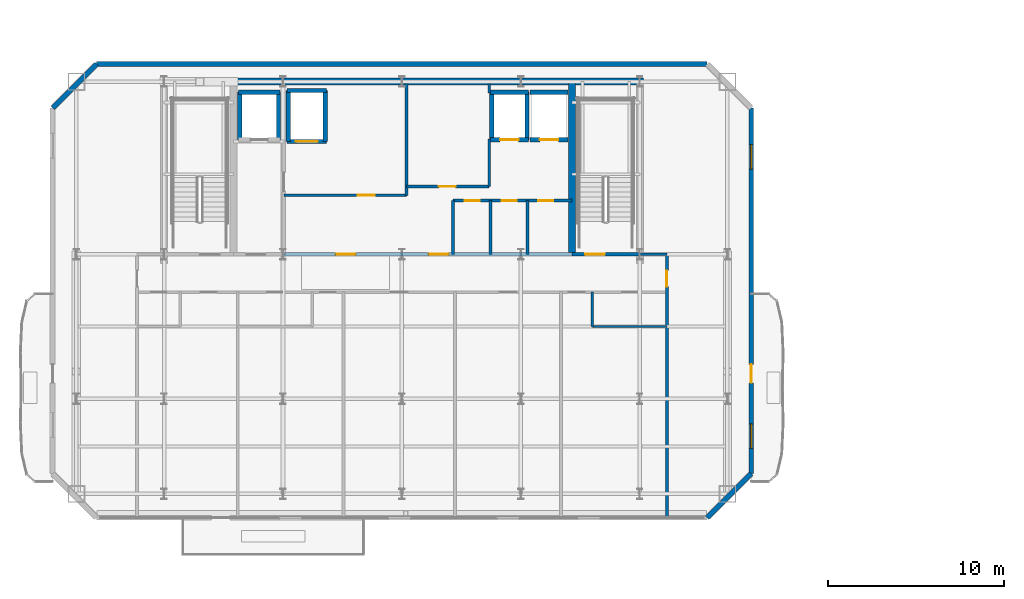
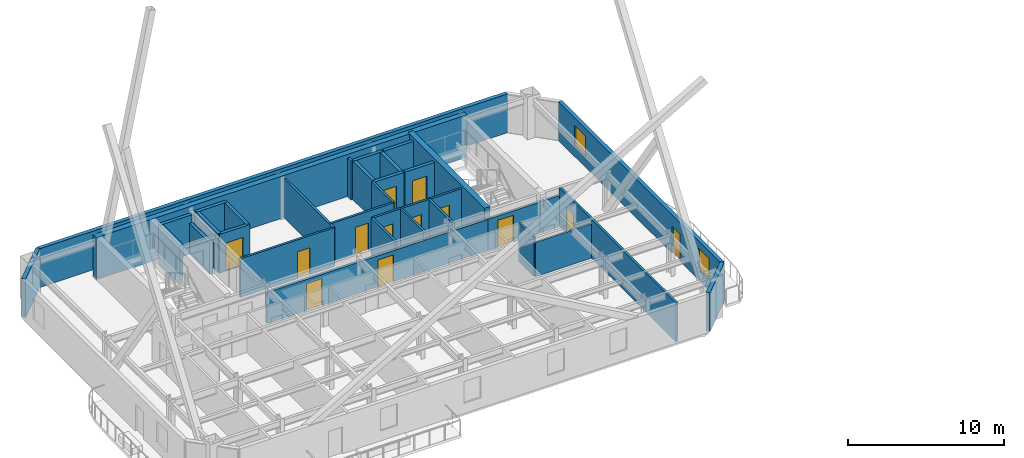
# One storey, part 4 of 9: 34 walls, 13 doors, 2 windows, 15 openings.
"""IFC4 building model written with IfcOpenShell, lengths in metres."""

import ifcopenshell
import ifcopenshell.guid

model = None  # the IFC model being written
_history = None  # IfcOwnerHistory: only IFC2X3 demands one
_inside = {}  # id of a spatial element -> (the spatial element, [elements in it])
_under = {}  # id of a project, library or spatial element -> (it, [spatial elements below it])
_declared = {}  # id of a project -> (the project, [libraries it declares])
_typed = {}  # id of a type object -> (the type object, [elements of that type])
_made_of = {}  # id of a material, layer set ... -> (it, [elements and type objects made of it])


def new_model(schema):
    """Start an empty IFC model of exactly this schema.

    Asked for "IFC4X3", IfcOpenShell would pick the latest addendum, in which some entities
    have other attributes; the version numbers below select the first issue.
    IFC2X3 requires an IfcOwnerHistory on every rooted entity: one is made here for all.
    """
    global model, _history
    if schema == "IFC4X3":
        model = ifcopenshell.file(schema_version=(4, 3, 0, 0))
    else:
        model = ifcopenshell.file(schema=schema)
    _inside.clear()
    _under.clear()
    _declared.clear()
    _typed.clear()
    _made_of.clear()
    _history = None
    if model.schema == "IFC2X3":
        org = make("IfcOrganization", Name="unknown")
        user = make(
            "IfcPersonAndOrganization",
            ThePerson=make("IfcPerson", FamilyName="unknown"),
            TheOrganization=org,
        )
        app = make(
            "IfcApplication",
            ApplicationDeveloper=org,
            Version="unknown",
            ApplicationFullName="unknown",
            ApplicationIdentifier="unknown",
        )
        _history = make(
            "IfcOwnerHistory",
            OwningUser=user,
            OwningApplication=app,
            ChangeAction="ADDED",
            CreationDate=0,
        )
    return model


def make(cls, **values):
    """One entity of the class cls with the attributes given. An attribute that is None is left unset."""
    return model.create_entity(
        cls, **{name: value for name, value in values.items() if value is not None}
    )


def rooted(cls, **values):
    """An entity with a GlobalId (a new one), such as an element, a storey or a relation."""
    return make(cls, GlobalId=ifcopenshell.guid.new(), OwnerHistory=_history, **values)


def si_unit(unit_type, name, prefix=None):
    """IfcSIUnit, for example si_unit("LENGTHUNIT", "METRE", prefix="MILLI")."""
    return make("IfcSIUnit", UnitType=unit_type, Prefix=prefix, Name=name)


def assignment(units):
    """IfcUnitAssignment: the units of a project."""
    return None if units is None else make("IfcUnitAssignment", Units=units)


def point(xyz):
    """IfcCartesianPoint."""
    return None if xyz is None else make("IfcCartesianPoint", Coordinates=xyz)


def direction(xyz):
    """IfcDirection."""
    return None if xyz is None else make("IfcDirection", DirectionRatios=xyz)


def frame(location, z_axis=None, x_axis=None):
    """IfcAxis2Placement3D, a coordinate frame: its origin and axes. An axis left out is left unset."""
    return make(
        "IfcAxis2Placement3D",
        Location=point(location),
        Axis=direction(z_axis),
        RefDirection=direction(x_axis),
    )


def frame_2d(location, x_axis=None):
    """IfcAxis2Placement2D, a coordinate frame in the plane: its origin and x axis."""
    return make(
        "IfcAxis2Placement2D", Location=point(location), RefDirection=direction(x_axis)
    )


def origin():
    """The frame at (0, 0, 0) with its axes left unset."""
    return frame((0.0, 0.0, 0.0))


def place(relative_to, where):
    """IfcLocalPlacement: puts the frame where relative to a parent placement (None: the world)."""
    return make(
        "IfcLocalPlacement", PlacementRelTo=relative_to, RelativePlacement=where
    )


def context(
    kind, dimensions, precision=None, world=None, true_north=None, identifier=None
):
    """IfcGeometricRepresentationContext, for example the 3D "Model" context."""
    return make(
        "IfcGeometricRepresentationContext",
        ContextIdentifier=identifier,
        ContextType=kind,
        CoordinateSpaceDimension=dimensions,
        Precision=precision,
        WorldCoordinateSystem=world,
        TrueNorth=true_north,
    )


def subcontext(parent, identifier, kind, view, scale=None):
    """IfcGeometricRepresentationSubContext, for example "Body" below "Model"."""
    return make(
        "IfcGeometricRepresentationSubContext",
        ContextIdentifier=identifier,
        ContextType=kind,
        ParentContext=parent,
        TargetScale=scale,
        TargetView=view,
    )


def project(units=None, contexts=None):
    """IfcProject with its units and contexts."""
    return rooted(
        "IfcProject",
        Name="project",
        RepresentationContexts=contexts,
        UnitsInContext=assignment(units),
    )


def spatial(cls, under=None, at=None, **own):
    """A site, building, storey or space (cls), placed at a placement, below another one or the project."""
    s = rooted(cls, ObjectPlacement=at, **own)
    if under is not None:
        _under.setdefault(under.id(), (under, []))[1].append(s)
    return s


def profile(cls, at=None, kind="AREA", **sizes):
    """A parametric profile (cls). Its sizes go by their IFC names, for example OverallWidth=200.0."""
    return make(cls, ProfileType=kind, Position=at, **sizes)


def rectangle(**sizes):
    """IfcRectangleProfileDef."""
    return profile("IfcRectangleProfileDef", **sizes)


def extrude(swept, where, along, depth):
    """IfcExtrudedAreaSolid: the profile swept, set in the frame where, extruded along a direction by depth."""
    return make(
        "IfcExtrudedAreaSolid",
        SweptArea=swept,
        Position=where,
        ExtrudedDirection=direction(along),
        Depth=depth,
    )


def shape(context_of_items, identifier, shape_type, items):
    """IfcShapeRepresentation: the items that make up one representation, for example the "Body"."""
    return make(
        "IfcShapeRepresentation",
        ContextOfItems=context_of_items,
        RepresentationIdentifier=identifier,
        RepresentationType=shape_type,
        Items=items,
    )


def material(Name=None, Category=None):
    """IfcMaterial."""
    return make("IfcMaterial", Name=Name, Category=Category)


def layer(
    of_material, thickness, ventilated=None, Name=None, Category=None, Priority=None
):
    """IfcMaterialLayer: one layer of a wall or slab, of a material (None: an air gap)."""
    return make(
        "IfcMaterialLayer",
        Material=of_material,
        LayerThickness=thickness,
        IsVentilated=ventilated,
        Name=Name,
        Category=Category,
        Priority=Priority,
    )


def layer_set(layers, Name=None):
    """IfcMaterialLayerSet."""
    return make("IfcMaterialLayerSet", MaterialLayers=layers, LayerSetName=Name)


def made_of(thing, what):
    """Note that an element or type object is made of a material, layer set ...; save() writes the relation."""
    if what is not None:
        _made_of.setdefault(what.id(), (what, []))[1].append(thing)
    return thing


def type_object(cls, material=None, **own):
    """A type object (cls), such as IfcWallType, which elements share."""
    return made_of(rooted(cls, **own), material)


def element(
    cls,
    number,
    at=None,
    inside=None,
    cuts=None,
    type_object=None,
    material=None,
    context=None,
    identifier="Body",
    shape_type=None,
    held_by="IfcProductDefinitionShape",
    body=None,
    shapes=None,
    **own,
):
    """One element of the class cls, such as IfcWall. Its Tag is "e" and its number.

    at: its placement. inside: the storey or other place that contains it. cuts: it is an
    opening in that element (IfcRelVoidsElement). A single representation is given by context,
    identifier, shape_type and body (its items); several are given by shapes. held_by: the class
    of the entity that holds the representations. save() writes the other relations.
    """
    e = rooted(cls, Tag="e%d" % number, ObjectPlacement=at, **own)
    if body is not None:
        shapes = [shape(context, identifier, shape_type, body)]
    if shapes is not None:
        e.Representation = make(held_by, Representations=shapes)
    if inside is not None:
        _inside.setdefault(inside.id(), (inside, []))[1].append(e)
    if cuts is not None:
        rooted(
            "IfcRelVoidsElement", RelatingBuildingElement=cuts, RelatedOpeningElement=e
        )
    if type_object is not None:
        _typed.setdefault(type_object.id(), (type_object, []))[1].append(e)
    return made_of(e, material)


def fill(opening, filler):
    """IfcRelFillsElement: the door or window that sits in an opening."""
    return rooted(
        "IfcRelFillsElement",
        RelatingOpeningElement=opening,
        RelatedBuildingElement=filler,
    )


def aggregate(whole, parts):
    """IfcRelAggregates: a whole, such as a stair, and the parts it consists of."""
    return rooted("IfcRelAggregates", RelatingObject=whole, RelatedObjects=parts)


def save(model, path):
    """Write the relations noted so far, then the file.

    IfcRelAggregates (storeys below a building ...), IfcRelContainedInSpatialStructure (elements
    in a storey), IfcRelDefinesByType, IfcRelAssociatesMaterial and IfcRelDeclares: one each for
    every whole, place, type object, material and project.
    """
    for whole, parts in _under.values():
        aggregate(whole, parts)
    for where, things in _inside.values():
        rooted(
            "IfcRelContainedInSpatialStructure",
            RelatedElements=things,
            RelatingStructure=where,
        )
    for kind, things in _typed.values():
        rooted("IfcRelDefinesByType", RelatedObjects=things, RelatingType=kind)
    for what, things in _made_of.values():
        rooted("IfcRelAssociatesMaterial", RelatedObjects=things, RelatingMaterial=what)
    for by, libraries in _declared.values():
        rooted("IfcRelDeclares", RelatingContext=by, RelatedDefinitions=libraries)
    model.write(path)


model = new_model("IFC4")

# Units and contexts
model_context = context("Model", 3, precision=1e-05, world=origin(), true_north=direction((0.0, 1.0)))
body_context = subcontext(model_context, "Body", "Model", "MODEL_VIEW")
ifc_project = project(units=[si_unit("LENGTHUNIT", "METRE"), si_unit("AREAUNIT", "SQUARE_METRE"), si_unit("VOLUMEUNIT", "CUBIC_METRE"), si_unit("PLANEANGLEUNIT", "RADIAN"), si_unit("MASSUNIT", "GRAM", prefix="KILO")], contexts=[model_context])

# Site, building, storey
site_placement = place(None, origin())
site = spatial("IfcSite", under=ifc_project, at=site_placement, CompositionType="ELEMENT")
building_placement = place(site_placement, origin())
building = spatial("IfcBuilding", under=site, at=building_placement, Name="Haevon Station Towers", CompositionType="ELEMENT")
storey_placement = place(building_placement, frame((0.0, 0.0, 239.39990234375)))
storey = spatial("IfcBuildingStorey", under=building, at=storey_placement, Name="L66", CompositionType="ELEMENT", Elevation=239.39990234375)

# Wall, opening, door
ifc_material_1 = material(Name="Gypsum board on steel stud", Category="steel")
ifc_layer_1 = layer(ifc_material_1, 0.199951171875)
ifc_layer_set_1 = layer_set([ifc_layer_1], Name="Gypsum board on steel stud")
wall_type_1 = type_object("IfcWallType", Name="WL-COR200", PredefinedType="PARTITIONING", material=ifc_layer_set_1)
wall_1_placement = place(storey_placement, frame((47.14990234375, 38.199951171875, 0.0), z_axis=(0.0, 0.0, 1.0), x_axis=(1.0, 0.0, 0.0)))
wall_1 = element("IfcWall", 1, at=wall_1_placement, inside=storey, type_object=wall_type_1, Name="WL-ST-ST2-L66", PredefinedType="PARTITIONING", context=body_context, shape_type="SweptSolid", body=[
    extrude(rectangle(XDim=3.85009765625, YDim=0.199951171875, at=frame_2d((1.925048828125, 0.0))), origin(), (0.0, 0.0, 1.0), 2.43017578125),
])
opening_1_placement = place(wall_1_placement, frame((0.75, 0.0, 0.0)))
opening_1 = element("IfcOpeningElement", 2, at=opening_1_placement, cuts=wall_1, Name="Opening DR-ST-ST2-L66", PredefinedType="OPENING", context=body_context, shape_type="SweptSolid", body=[
    extrude(rectangle(XDim=1.1201171875, YDim=2.10009765625, at=frame_2d((0.56005859375, 1.050048828125))), frame((0.0, 0.10986328125, 0.0), z_axis=(0.0, -1.0, 0.0), x_axis=(1.0, 0.0, 0.0)), (0.0, 0.0, 1.0), 0.219970703125),
])
ifc_material_2 = material(Name="Engineered oak timber", Category="wood")
door_type_1 = type_object("IfcDoorType", Name="DR-ST-1120", OperationType="NOTDEFINED", PredefinedType="DOOR", material=ifc_material_2)
door_1_placement = place(opening_1_placement, origin())
door_1 = element("IfcDoor", 3, at=door_1_placement, inside=storey, type_object=door_type_1, Name="L66 Escape Stair ST2 Fire Door", OperationType="SINGLE_SWING_LEFT", OverallHeight=2.10009765625, OverallWidth=1.1201171875, PredefinedType="DOOR", context=body_context, shape_type="SweptSolid", body=[
    extrude(rectangle(XDim=1.1201171875, YDim=2.10009765625, at=frame_2d((0.56005859375, 1.050048828125))), frame((0.0, 0.02490234375, 0.0), z_axis=(0.0, -1.0, 0.0), x_axis=(1.0, 0.0, 0.0)), (0.0, 0.0, 1.0), 0.050048828125),
])
fill(opening_1, door_1)

# Wall, openings, doors
wall_2_placement = place(storey_placement, frame((30.800048828125, 38.199951171875, 0.0), z_axis=(0.0, 0.0, 1.0), x_axis=(1.0, 0.0, 0.0)))
wall_2 = element("IfcWall", 4, at=wall_2_placement, inside=storey, type_object=wall_type_1, Name="WL-T1CLB-L66", PredefinedType="PARTITIONING", context=body_context, shape_type="SweptSolid", body=[
    extrude(rectangle(XDim=16.349853515625, YDim=0.199951171875, at=frame_2d((8.1748046875, 0.0))), origin(), (0.0, 0.0, 1.0), 2.43017578125),
])
opening_2_placement = place(wall_2_placement, frame((2.949951171875, 0.0, 0.0)))
opening_2 = element("IfcOpeningElement", 5, at=opening_2_placement, cuts=wall_2, Name="Opening DR-T1CLB-L66-1", PredefinedType="OPENING", context=body_context, shape_type="SweptSolid", body=[
    extrude(rectangle(XDim=1.1201171875, YDim=2.10009765625, at=frame_2d((0.56005859375, 1.050048828125))), frame((0.0, 0.10986328125, 0.0), z_axis=(0.0, -1.0, 0.0), x_axis=(1.0, 0.0, 0.0)), (0.0, 0.0, 1.0), 0.219970703125),
])
opening_3_placement = place(wall_2_placement, frame((8.22998046875, 0.0, 0.0)))
opening_3 = element("IfcOpeningElement", 6, at=opening_3_placement, cuts=wall_2, Name="Opening DR-T1CLB-L66-2", PredefinedType="OPENING", context=body_context, shape_type="SweptSolid", body=[
    extrude(rectangle(XDim=1.1201171875, YDim=2.10009765625, at=frame_2d((0.56005859375, 1.050048828125))), frame((0.0, 0.10986328125, 0.0), z_axis=(0.0, -1.0, 0.0), x_axis=(1.0, 0.0, 0.0)), (0.0, 0.0, 1.0), 0.219970703125),
])
door_2_placement = place(opening_2_placement, origin())
door_2 = element("IfcDoor", 7, at=door_2_placement, inside=storey, type_object=door_type_1, Name="L66 Tower 1 Core Lift Lobby Door 1", OperationType="SINGLE_SWING_RIGHT", OverallHeight=2.10009765625, OverallWidth=1.1201171875, PredefinedType="DOOR", context=body_context, shape_type="SweptSolid", body=[
    extrude(rectangle(XDim=1.1201171875, YDim=2.10009765625, at=frame_2d((0.56005859375, 1.050048828125))), frame((0.0, 0.02490234375, 0.0), z_axis=(0.0, -1.0, 0.0), x_axis=(1.0, 0.0, 0.0)), (0.0, 0.0, 1.0), 0.050048828125),
])
fill(opening_2, door_2)
door_3_placement = place(opening_3_placement, origin())
door_3 = element("IfcDoor", 8, at=door_3_placement, inside=storey, type_object=door_type_1, Name="L66 Tower 1 Core Lift Lobby Door 2", OperationType="SINGLE_SWING_LEFT", OverallHeight=2.10009765625, OverallWidth=1.1201171875, PredefinedType="DOOR", context=body_context, shape_type="SweptSolid", body=[
    extrude(rectangle(XDim=1.1201171875, YDim=2.10009765625, at=frame_2d((0.56005859375, 1.050048828125))), frame((0.0, 0.02490234375, 0.0), z_axis=(0.0, -1.0, 0.0), x_axis=(1.0, 0.0, 0.0)), (0.0, 0.0, 1.0), 0.050048828125),
])
fill(opening_3, door_3)

# Walls
ifc_material_3 = material(Name="Concrete C60/75", Category="concrete")
ifc_layer_2 = layer(ifc_material_3, 0.39990234375)
ifc_layer_set_2 = layer_set([ifc_layer_2], Name="Concrete C60/75")
wall_type_2 = type_object("IfcWallType", Name="WL-CR400", PredefinedType="SHEAR", material=ifc_layer_set_2)
wall_3_placement = place(storey_placement, frame((23.800048828125, 48.0, 0.0), z_axis=(0.0, 0.0, 1.0), x_axis=(1.0, 0.0, 0.0)))
element("IfcWall", 9, at=wall_3_placement, inside=storey, type_object=wall_type_2, Name="WL-T1CR-L66-N", PredefinedType="SHEAR", context=body_context, shape_type="SweptSolid", body=[
    extrude(rectangle(XDim=27.39990234375, YDim=0.39990234375, at=frame_2d((13.699951171875, 0.0))), origin(), (0.0, 0.0, 1.0), 3.300048828125),
])
wall_4_placement = place(storey_placement, frame((47.14990234375, 38.199951171875, 0.0), z_axis=(0.0, 0.0, 1.0), x_axis=(0.0, 1.0, 0.0)))
element("IfcWall", 10, at=wall_4_placement, inside=storey, type_object=wall_type_2, Name="WL-T1CR-L66-M2", PredefinedType="SHEAR", context=body_context, shape_type="SweptSolid", body=[
    extrude(rectangle(XDim=9.800048828125, YDim=0.39990234375, at=frame_2d((4.89990234375, 0.0))), origin(), (0.0, 0.0, 1.0), 3.300048828125),
])
ifc_material_4 = material(Name="Precast concrete C45/55", Category="concrete")
ifc_layer_3 = layer(ifc_material_4, 0.280029296875)
ifc_layer_set_3 = layer_set([ifc_layer_3], Name="Precast concrete C45/55")
wall_type_3 = type_object("IfcWallType", Name="WL-EXT-PIER280", PredefinedType="SOLIDWALL", material=ifc_layer_set_3)
wall_5_placement = place(storey_placement, frame((17.675048828125, 46.5, 0.0), z_axis=(0.0, 0.0, 1.0), x_axis=(0.707106781187, 0.707106781187, 0.0)))
element("IfcWall", 11, at=wall_5_placement, inside=storey, type_object=wall_type_3, Name="WL-T1-L66-NWC", PredefinedType="SOLIDWALL", context=body_context, shape_type="SweptSolid", body=[
    extrude(rectangle(XDim=3.53564453125, YDim=0.280029296875, at=frame_2d((1.767822265625, 0.0))), origin(), (0.0, 0.0, 1.0), 3.030029296875),
])
wall_6_placement = place(storey_placement, frame((20.175048828125, 49.0, 0.0), z_axis=(0.0, 0.0, 1.0), x_axis=(1.0, 0.0, 0.0)))
element("IfcWall", 12, at=wall_6_placement, inside=storey, type_object=wall_type_3, Name="WL-T1-L66-N", PredefinedType="SOLIDWALL", context=body_context, shape_type="SweptSolid", body=[
    extrude(rectangle(XDim=34.64990234375, YDim=0.280029296875, at=frame_2d((17.324951171875, 0.0))), origin(), (0.0, 0.0, 1.0), 3.030029296875),
])

# Wall, openings, door, windows
wall_7_placement = place(storey_placement, frame((57.324951171875, 46.5, 0.0), z_axis=(0.0, 0.0, 1.0), x_axis=(0.0, -1.0, 0.0)))
wall_7 = element("IfcWall", 13, at=wall_7_placement, inside=storey, type_object=wall_type_3, Name="WL-T1-L66-E", PredefinedType="SOLIDWALL", context=body_context, shape_type="SweptSolid", body=[
    extrude(rectangle(XDim=20.75, YDim=0.280029296875, at=frame_2d((10.375, 0.0))), origin(), (0.0, 0.0, 1.0), 3.030029296875),
])
opening_4_placement = place(wall_7_placement, frame((14.550048828125, 0.0, 0.0)))
opening_4 = element("IfcOpeningElement", 14, at=opening_4_placement, cuts=wall_7, Name="Opening DR-T1-SCAL-L66-E", PredefinedType="OPENING", context=body_context, shape_type="SweptSolid", body=[
    extrude(rectangle(XDim=1.050048828125, YDim=2.10009765625, at=frame_2d((0.52490234375, 1.050048828125))), frame((0.0, 0.14990234375, 0.0), z_axis=(0.0, -1.0, 0.0), x_axis=(1.0, 0.0, 0.0)), (0.0, 0.0, 1.0), 0.300048828125),
])
opening_5_placement = place(wall_7_placement, frame((2.06787109375, 0.0, 0.800048828125)))
opening_5 = element("IfcOpeningElement", 15, at=opening_5_placement, cuts=wall_7, Name="Opening WN-END140", PredefinedType="OPENING", context=body_context, shape_type="SweptSolid", body=[
    extrude(rectangle(XDim=1.39990234375, YDim=1.64990234375, at=frame_2d((0.699951171875, 0.824951171875))), frame((0.0, 0.14990234375, 0.0), z_axis=(0.0, -1.0, 0.0), x_axis=(1.0, 0.0, 0.0)), (0.0, 0.0, 1.0), 0.300048828125),
])
opening_6_placement = place(wall_7_placement, frame((17.916015625, 0.0, 0.800048828125)))
opening_6 = element("IfcOpeningElement", 16, at=opening_6_placement, cuts=wall_7, Name="Opening WN-END140", PredefinedType="OPENING", context=body_context, shape_type="SweptSolid", body=[
    extrude(rectangle(XDim=1.39990234375, YDim=1.64990234375, at=frame_2d((0.699951171875, 0.824951171875))), frame((0.0, 0.14990234375, 0.0), z_axis=(0.0, -1.0, 0.0), x_axis=(1.0, 0.0, 0.0)), (0.0, 0.0, 1.0), 0.300048828125),
])
ifc_material_5 = material(Name="Thermally broken anodised aluminium and laminated safety glass", Category="aluminium")
door_type_2 = type_object("IfcDoorType", Name="DR-BALC-1050", OperationType="NOTDEFINED", PredefinedType="DOOR", material=ifc_material_5)
door_4_placement = place(opening_4_placement, origin())
door_4 = element("IfcDoor", 17, at=door_4_placement, inside=storey, type_object=door_type_2, Name="Tower 1 L66 East Scalloped Balcony Door", OperationType="SINGLE_SWING_RIGHT", OverallHeight=2.10009765625, OverallWidth=1.050048828125, PredefinedType="DOOR", context=body_context, shape_type="SweptSolid", body=[
    extrude(rectangle(XDim=1.050048828125, YDim=2.10009765625, at=frame_2d((0.52490234375, 1.050048828125))), frame((0.0, 0.02490234375, 0.0), z_axis=(0.0, -1.0, 0.0), x_axis=(1.0, 0.0, 0.0)), (0.0, 0.0, 1.0), 0.050048828125),
])
fill(opening_4, door_4)
ifc_material_6 = material(Name="Low-E triple glazing in thermally broken aluminium", Category="aluminium")
window_type = type_object("IfcWindowType", Name="WN-END140", PartitioningType="SINGLE_PANEL", PredefinedType="WINDOW", material=ifc_material_6)
window_1_placement = place(opening_5_placement, origin())
window_1 = element("IfcWindow", 18, at=window_1_placement, inside=storey, type_object=window_type, Name="WN-T1-L66-E01", OverallHeight=1.64990234375, OverallWidth=1.39990234375, PartitioningType="SINGLE_PANEL", PredefinedType="WINDOW", context=body_context, shape_type="SweptSolid", body=[
    extrude(rectangle(XDim=1.39990234375, YDim=1.64990234375, at=frame_2d((0.699951171875, 0.824951171875))), frame((0.0, 0.030029296875, 0.0), z_axis=(0.0, -1.0, 0.0), x_axis=(1.0, 0.0, 0.0)), (0.0, 0.0, 1.0), 0.06005859375),
])
fill(opening_5, window_1)
window_2_placement = place(opening_6_placement, origin())
window_2 = element("IfcWindow", 19, at=window_2_placement, inside=storey, type_object=window_type, Name="WN-T1-L66-E02", OverallHeight=1.64990234375, OverallWidth=1.39990234375, PartitioningType="SINGLE_PANEL", PredefinedType="WINDOW", context=body_context, shape_type="SweptSolid", body=[
    extrude(rectangle(XDim=1.39990234375, YDim=1.64990234375, at=frame_2d((0.699951171875, 0.824951171875))), frame((0.0, 0.030029296875, 0.0), z_axis=(0.0, -1.0, 0.0), x_axis=(1.0, 0.0, 0.0)), (0.0, 0.0, 1.0), 0.06005859375),
])
fill(opening_6, window_2)

# Walls
wall_8_placement = place(storey_placement, frame((57.324951171875, 25.75, 0.0), z_axis=(0.0, 0.0, 1.0), x_axis=(-0.707106781187, -0.707106781187, 0.0)))
element("IfcWall", 20, at=wall_8_placement, inside=storey, type_object=wall_type_3, Name="WL-T1-L66-SEC", PredefinedType="SOLIDWALL", context=body_context, shape_type="SweptSolid", body=[
    extrude(rectangle(XDim=3.53564453125, YDim=0.280029296875, at=frame_2d((1.767822265625, 0.0))), origin(), (0.0, 0.0, 1.0), 3.030029296875),
])
ifc_layer_4 = layer(ifc_material_1, 0.125)
ifc_layer_set_4 = layer_set([ifc_layer_4], Name="Gypsum board on steel stud")
wall_type_4 = type_object("IfcWallType", Name="WL-PRT125", PredefinedType="PARTITIONING", material=ifc_layer_set_4)
wall_9_placement = place(storey_placement, frame((48.302734375, 34.10009765625, 0.0), z_axis=(0.0, 0.0, 1.0), x_axis=(1.0, 0.0, 0.0)))
element("IfcWall", 21, at=wall_9_placement, inside=storey, type_object=wall_type_4, Name="WL-T1PT-L66-13", PredefinedType="PARTITIONING", context=body_context, shape_type="SweptSolid", body=[
    extrude(rectangle(XDim=4.2353515625, YDim=0.125, at=frame_2d((2.11767578125, 0.0))), origin(), (0.0, 0.0, 1.0), 2.68017578125),
])
ifc_layer_5 = layer(ifc_material_1, 0.139892578125)
ifc_layer_set_5 = layer_set([ifc_layer_5], Name="Gypsum board on steel stud")
wall_type_5 = type_object("IfcWallType", Name="WL-PRT140", PredefinedType="PARTITIONING", material=ifc_layer_set_5)
wall_10_placement = place(storey_placement, frame((48.302734375, 34.10009765625, 0.0), z_axis=(0.0, 0.0, 1.0), x_axis=(0.0, 1.0, 0.0)))
element("IfcWall", 22, at=wall_10_placement, inside=storey, type_object=wall_type_5, Name="WL-T1PT-L66-14", PredefinedType="PARTITIONING", context=body_context, shape_type="SweptSolid", body=[
    extrude(rectangle(XDim=1.949951171875, YDim=0.139892578125, at=frame_2d((0.97509765625, 0.0))), origin(), (0.0, 0.0, 1.0), 3.030029296875),
])

# Wall, opening, door
ifc_layer_6 = layer(ifc_material_1, 0.159912109375)
ifc_layer_set_6 = layer_set([ifc_layer_6], Name="Gypsum board on steel stud")
wall_type_6 = type_object("IfcWallType", Name="WL-PRT160", PredefinedType="PARTITIONING", material=ifc_layer_set_6)
wall_11_placement = place(storey_placement, frame((30.800048828125, 41.550048828125, 0.0), z_axis=(0.0, 0.0, 1.0), x_axis=(1.0, 0.0, 0.0)))
wall_11 = element("IfcWall", 23, at=wall_11_placement, inside=storey, type_object=wall_type_6, Name="WL-T1CW-L66-01", PredefinedType="PARTITIONING", context=body_context, shape_type="SweptSolid", body=[
    extrude(rectangle(XDim=6.949951171875, YDim=0.159912109375, at=frame_2d((3.47509765625, 0.0))), origin(), (0.0, 0.0, 1.0), 3.030029296875),
])
opening_7_placement = place(wall_11_placement, frame((4.199951171875, 0.0, 0.0)))
opening_7 = element("IfcOpeningElement", 24, at=opening_7_placement, cuts=wall_11, Name="Opening DR-WL-T1CW-L66-01-1", PredefinedType="OPENING", context=body_context, shape_type="SweptSolid", body=[
    extrude(rectangle(XDim=0.949951171875, YDim=2.10009765625, at=frame_2d((0.47509765625, 1.050048828125))), frame((0.0, 0.08984375, 0.0), z_axis=(0.0, -1.0, 0.0), x_axis=(1.0, 0.0, 0.0)), (0.0, 0.0, 1.0), 0.179931640625),
])
door_type_3 = type_object("IfcDoorType", Name="DR-FD60-950", OperationType="NOTDEFINED", PredefinedType="DOOR", material=ifc_material_2)
door_5_placement = place(opening_7_placement, origin())
door_5 = element("IfcDoor", 25, at=door_5_placement, inside=storey, type_object=door_type_3, Name="L66 Tower 1 Core Room Door 1-1", OperationType="SINGLE_SWING_LEFT", OverallHeight=2.10009765625, OverallWidth=0.949951171875, PredefinedType="DOOR", context=body_context, shape_type="SweptSolid", body=[
    extrude(rectangle(XDim=0.949951171875, YDim=2.10009765625, at=frame_2d((0.47509765625, 1.050048828125))), frame((0.0, 0.02490234375, 0.0), z_axis=(0.0, -1.0, 0.0), x_axis=(1.0, 0.0, 0.0)), (0.0, 0.0, 1.0), 0.050048828125),
])
fill(opening_7, door_5)

# Wall
wall_12_placement = place(storey_placement, frame((37.75, 41.550048828125, 0.0), z_axis=(0.0, 0.0, 1.0), x_axis=(0.0, 1.0, 0.0)))
element("IfcWall", 26, at=wall_12_placement, inside=storey, type_object=wall_type_6, Name="WL-T1CW-L66-02", PredefinedType="PARTITIONING", context=body_context, shape_type="SweptSolid", body=[
    extrude(rectangle(XDim=6.349853515625, YDim=0.159912109375, at=frame_2d((3.1748046875, 0.0))), origin(), (0.0, 0.0, 1.0), 3.030029296875),
])

# Wall, opening, door
wall_13_placement = place(storey_placement, frame((37.75, 42.050048828125, 0.0), z_axis=(0.0, 0.0, 1.0), x_axis=(1.0, 0.0, 0.0)))
wall_13 = element("IfcWall", 27, at=wall_13_placement, inside=storey, type_object=wall_type_6, Name="WL-T1CW-L66-03", PredefinedType="PARTITIONING", context=body_context, shape_type="SweptSolid", body=[
    extrude(rectangle(XDim=4.699951171875, YDim=0.159912109375, at=frame_2d((2.35009765625, 0.0))), origin(), (0.0, 0.0, 1.0), 3.030029296875),
])
opening_8_placement = place(wall_13_placement, frame((1.85009765625, 0.0, 0.0)))
opening_8 = element("IfcOpeningElement", 28, at=opening_8_placement, cuts=wall_13, Name="Opening DR-WL-T1CW-L66-03-1", PredefinedType="OPENING", context=body_context, shape_type="SweptSolid", body=[
    extrude(rectangle(XDim=0.949951171875, YDim=2.10009765625, at=frame_2d((0.47509765625, 1.050048828125))), frame((0.0, 0.08984375, 0.0), z_axis=(0.0, -1.0, 0.0), x_axis=(1.0, 0.0, 0.0)), (0.0, 0.0, 1.0), 0.179931640625),
])
door_6_placement = place(opening_8_placement, origin())
door_6 = element("IfcDoor", 29, at=door_6_placement, inside=storey, type_object=door_type_3, Name="L66 Tower 1 Core Room Door 3-1", OperationType="SINGLE_SWING_RIGHT", OverallHeight=2.10009765625, OverallWidth=0.949951171875, PredefinedType="DOOR", context=body_context, shape_type="SweptSolid", body=[
    extrude(rectangle(XDim=0.949951171875, YDim=2.10009765625, at=frame_2d((0.47509765625, 1.050048828125))), frame((0.0, 0.02490234375, 0.0), z_axis=(0.0, -1.0, 0.0), x_axis=(1.0, 0.0, 0.0)), (0.0, 0.0, 1.0), 0.050048828125),
])
fill(opening_8, door_6)

# Walls
wall_14_placement = place(storey_placement, frame((42.449951171875, 42.050048828125, 0.0), z_axis=(0.0, 0.0, 1.0), x_axis=(0.0, 1.0, 0.0)))
element("IfcWall", 30, at=wall_14_placement, inside=storey, type_object=wall_type_6, Name="WL-T1CW-L66-04", PredefinedType="PARTITIONING", context=body_context, shape_type="SweptSolid", body=[
    extrude(rectangle(XDim=2.699951171875, YDim=0.159912109375, at=frame_2d((1.35009765625, 0.0))), origin(), (0.0, 0.0, 1.0), 3.030029296875),
])
wall_15_placement = place(storey_placement, frame((42.449951171875, 47.35009765625, 0.0), z_axis=(0.0, 0.0, 1.0), x_axis=(0.0, 1.0, 0.0)))
element("IfcWall", 31, at=wall_15_placement, inside=storey, type_object=wall_type_6, Name="WL-T1CW-L66-05", PredefinedType="PARTITIONING", context=body_context, shape_type="SweptSolid", body=[
    extrude(rectangle(XDim=0.5498046875, YDim=0.159912109375, at=frame_2d((0.27490234375, 0.0))), origin(), (0.0, 0.0, 1.0), 3.030029296875),
])
for number, where, z_axis, x_axis, name in (
    (32, (40.39990234375, 38.199951171875, 0.0), (0.0, 0.0, 1.0), (0.0, 1.0, 0.0), "WL-T1CW-L66-06"),
    (33, (42.530029296875, 38.199951171875, 0.0), (0.0, 0.0, 1.0), (0.0, 1.0, 0.0), "WL-T1CW-L66-07"),
    (34, (44.6298828125, 38.199951171875, 0.0), (0.0, 0.0, 1.0), (0.0, 1.0, 0.0), "WL-T1CW-L66-08"),
):
    element("IfcWall", number, at=place(storey_placement, frame(where, z_axis=z_axis, x_axis=x_axis)), inside=storey, type_object=wall_type_6, Name=name, PredefinedType="PARTITIONING", context=body_context, shape_type="SweptSolid", body=[
        extrude(rectangle(XDim=3.050048828125, YDim=0.159912109375, at=frame_2d((1.52490234375, 0.0))), origin(), (0.0, 0.0, 1.0), 3.030029296875),
    ])

# Wall, openings, doors
wall_16_placement = place(storey_placement, frame((40.39990234375, 41.25, 0.0), z_axis=(0.0, 0.0, 1.0), x_axis=(1.0, 0.0, 0.0)))
wall_16 = element("IfcWall", 35, at=wall_16_placement, inside=storey, type_object=wall_type_6, Name="WL-T1CW-L66-09", PredefinedType="PARTITIONING", context=body_context, shape_type="SweptSolid", body=[
    extrude(rectangle(XDim=6.75, YDim=0.159912109375, at=frame_2d((3.375, 0.0))), origin(), (0.0, 0.0, 1.0), 3.030029296875),
])
opening_9_placement = place(wall_16_placement, frame((0.659912109375, 0.0, 0.0)))
opening_9 = element("IfcOpeningElement", 36, at=opening_9_placement, cuts=wall_16, Name="Opening DR-WL-T1CW-L66-09-1", PredefinedType="OPENING", context=body_context, shape_type="SweptSolid", body=[
    extrude(rectangle(XDim=0.85009765625, YDim=2.050048828125, at=frame_2d((0.425048828125, 1.02490234375))), frame((0.0, 0.08984375, 0.0), z_axis=(0.0, -1.0, 0.0), x_axis=(1.0, 0.0, 0.0)), (0.0, 0.0, 1.0), 0.179931640625),
])
opening_10_placement = place(wall_16_placement, frame((2.7548828125, 0.0, 0.0)))
opening_10 = element("IfcOpeningElement", 37, at=opening_10_placement, cuts=wall_16, Name="Opening DR-WL-T1CW-L66-09-2", PredefinedType="OPENING", context=body_context, shape_type="SweptSolid", body=[
    extrude(rectangle(XDim=0.85009765625, YDim=2.050048828125, at=frame_2d((0.425048828125, 1.02490234375))), frame((0.0, 0.08984375, 0.0), z_axis=(0.0, -1.0, 0.0), x_axis=(1.0, 0.0, 0.0)), (0.0, 0.0, 1.0), 0.179931640625),
])
opening_11_placement = place(wall_16_placement, frame((4.830078125, 0.0, 0.0)))
opening_11 = element("IfcOpeningElement", 38, at=opening_11_placement, cuts=wall_16, Name="Opening DR-WL-T1CW-L66-09-3", PredefinedType="OPENING", context=body_context, shape_type="SweptSolid", body=[
    extrude(rectangle(XDim=0.85009765625, YDim=2.050048828125, at=frame_2d((0.425048828125, 1.02490234375))), frame((0.0, 0.08984375, 0.0), z_axis=(0.0, -1.0, 0.0), x_axis=(1.0, 0.0, 0.0)), (0.0, 0.0, 1.0), 0.179931640625),
])
door_type_4 = type_object("IfcDoorType", Name="DR-FD30-850", OperationType="NOTDEFINED", PredefinedType="DOOR", material=ifc_material_2)
door_7_placement = place(opening_9_placement, origin())
door_7 = element("IfcDoor", 39, at=door_7_placement, inside=storey, type_object=door_type_4, Name="L66 Tower 1 Core Room Door 9-1", OperationType="SINGLE_SWING_LEFT", OverallHeight=2.050048828125, OverallWidth=0.85009765625, PredefinedType="DOOR", context=body_context, shape_type="SweptSolid", body=[
    extrude(rectangle(XDim=0.85009765625, YDim=2.050048828125, at=frame_2d((0.425048828125, 1.02490234375))), frame((0.0, 0.02490234375, 0.0), z_axis=(0.0, -1.0, 0.0), x_axis=(1.0, 0.0, 0.0)), (0.0, 0.0, 1.0), 0.050048828125),
])
fill(opening_9, door_7)
door_8_placement = place(opening_10_placement, origin())
door_8 = element("IfcDoor", 40, at=door_8_placement, inside=storey, type_object=door_type_4, Name="L66 Tower 1 Core Room Door 9-2", OperationType="SINGLE_SWING_RIGHT", OverallHeight=2.050048828125, OverallWidth=0.85009765625, PredefinedType="DOOR", context=body_context, shape_type="SweptSolid", body=[
    extrude(rectangle(XDim=0.85009765625, YDim=2.050048828125, at=frame_2d((0.425048828125, 1.02490234375))), frame((0.0, 0.02490234375, 0.0), z_axis=(0.0, -1.0, 0.0), x_axis=(1.0, 0.0, 0.0)), (0.0, 0.0, 1.0), 0.050048828125),
])
fill(opening_10, door_8)
door_9_placement = place(opening_11_placement, origin())
door_9 = element("IfcDoor", 41, at=door_9_placement, inside=storey, type_object=door_type_4, Name="L66 Tower 1 Core Room Door 9-3", OperationType="SINGLE_SWING_LEFT", OverallHeight=2.050048828125, OverallWidth=0.85009765625, PredefinedType="DOOR", context=body_context, shape_type="SweptSolid", body=[
    extrude(rectangle(XDim=0.85009765625, YDim=2.050048828125, at=frame_2d((0.425048828125, 1.02490234375))), frame((0.0, 0.02490234375, 0.0), z_axis=(0.0, -1.0, 0.0), x_axis=(1.0, 0.0, 0.0)), (0.0, 0.0, 1.0), 0.050048828125),
])
fill(opening_11, door_9)

# Wall
wall_17_placement = place(storey_placement, frame((51.0, 38.199951171875, 0.0), z_axis=(0.0, 0.0, 1.0), x_axis=(1.0, 0.0, 0.0)))
element("IfcWall", 42, at=wall_17_placement, inside=storey, type_object=wall_type_6, Name="WL-T1PT-L66-02", PredefinedType="PARTITIONING", context=body_context, shape_type="SweptSolid", body=[
    extrude(rectangle(XDim=1.5380859375, YDim=0.159912109375, at=frame_2d((0.76904296875, 0.0))), origin(), (0.0, 0.0, 1.0), 2.43017578125),
])

# Wall, opening, door
wall_18_placement = place(storey_placement, frame((52.5380859375, 23.25, 0.0), z_axis=(0.0, 0.0, 1.0), x_axis=(0.0, 1.0, 0.0)))
wall_18 = element("IfcWall", 43, at=wall_18_placement, inside=storey, type_object=wall_type_6, Name="WL-T1PT-L66-04", PredefinedType="PARTITIONING", context=body_context, shape_type="SweptSolid", body=[
    extrude(rectangle(XDim=14.949951171875, YDim=0.159912109375, at=frame_2d((7.47509765625, 0.0))), origin(), (0.0, 0.0, 1.0), 3.030029296875),
])
opening_12_placement = place(wall_18_placement, frame((13.1201171875, 0.0, 0.0)))
opening_12 = element("IfcOpeningElement", 44, at=opening_12_placement, cuts=wall_18, Name="Opening DR-WL-T1PT-L66-04-01", PredefinedType="OPENING", context=body_context, shape_type="SweptSolid", body=[
    extrude(rectangle(XDim=0.89990234375, YDim=2.050048828125, at=frame_2d((0.449951171875, 1.02490234375))), frame((0.0, 0.08984375, 0.0), z_axis=(0.0, -1.0, 0.0), x_axis=(1.0, 0.0, 0.0)), (0.0, 0.0, 1.0), 0.179931640625),
])
door_type_5 = type_object("IfcDoorType", Name="DR-INT-900", OperationType="NOTDEFINED", PredefinedType="DOOR", material=ifc_material_2)
door_10_placement = place(opening_12_placement, origin())
door_10 = element("IfcDoor", 45, at=door_10_placement, inside=storey, type_object=door_type_5, Name="L66 Tower 1 Room Door 4-1", OperationType="SINGLE_SWING_LEFT", OverallHeight=2.050048828125, OverallWidth=0.89990234375, PredefinedType="DOOR", context=body_context, shape_type="SweptSolid", body=[
    extrude(rectangle(XDim=0.89990234375, YDim=2.050048828125, at=frame_2d((0.449951171875, 1.02490234375))), frame((0.0, 0.02490234375, 0.0), z_axis=(0.0, -1.0, 0.0), x_axis=(1.0, 0.0, 0.0)), (0.0, 0.0, 1.0), 0.050048828125),
])
fill(opening_12, door_10)

# Walls
ifc_material_7 = material(Name="Concrete C40/50", Category="concrete")
ifc_layer_7 = layer(ifc_material_7, 0.239990234375)
ifc_layer_set_7 = layer_set([ifc_layer_7], Name="Concrete C40/50")
wall_type_7 = type_object("IfcWallType", Name="WL-SHF240", PredefinedType="PARTITIONING", material=ifc_layer_set_7)
wall_19_placement = place(storey_placement, frame((28.219970703125, 47.39990234375, 0.0), z_axis=(0.0, 0.0, 1.0), x_axis=(1.0, 0.0, 0.0)))
element("IfcWall", 46, at=wall_19_placement, inside=storey, type_object=wall_type_7, Name="WL-SHF-FL1-L66-N", PredefinedType="PARTITIONING", context=body_context, shape_type="SweptSolid", body=[
    extrude(rectangle(XDim=2.360107421875, YDim=0.239990234375, at=frame_2d((1.18017578125, 0.0))), origin(), (0.0, 0.0, 1.0), 3.030029296875),
])
wall_20_placement = place(storey_placement, frame((28.300048828125, 44.699951171875, 0.0), z_axis=(0.0, 0.0, 1.0), x_axis=(0.0, 1.0, 0.0)))
element("IfcWall", 47, at=wall_20_placement, inside=storey, type_object=wall_type_7, Name="WL-SHF-FL1-L66-W", PredefinedType="PARTITIONING", context=body_context, shape_type="SweptSolid", body=[
    extrude(rectangle(XDim=2.699951171875, YDim=0.239990234375, at=frame_2d((1.35009765625, 0.0))), origin(), (0.0, 0.0, 1.0), 3.030029296875),
])
wall_21_placement = place(storey_placement, frame((30.5, 44.699951171875, 0.0), z_axis=(0.0, 0.0, 1.0), x_axis=(0.0, 1.0, 0.0)))
element("IfcWall", 48, at=wall_21_placement, inside=storey, type_object=wall_type_7, Name="WL-SHF-FL1-L66-E", PredefinedType="PARTITIONING", context=body_context, shape_type="SweptSolid", body=[
    extrude(rectangle(XDim=2.699951171875, YDim=0.239990234375, at=frame_2d((1.35009765625, 0.0))), origin(), (0.0, 0.0, 1.0), 2.43017578125),
])

# Wall, opening, door
wall_22_placement = place(storey_placement, frame((30.969970703125, 44.60009765625, 0.0), z_axis=(0.0, 0.0, 1.0), x_axis=(1.0, 0.0, 0.0)))
wall_22 = element("IfcWall", 49, at=wall_22_placement, inside=storey, type_object=wall_type_7, Name="WL-SHF-SL1-L66", PredefinedType="PARTITIONING", context=body_context, shape_type="SweptSolid", body=[
    extrude(rectangle(XDim=2.260009765625, YDim=0.239990234375, at=frame_2d((1.1298828125, 0.0))), origin(), (0.0, 0.0, 1.0), 3.030029296875),
])
opening_13_placement = place(wall_22_placement, frame((0.5048828125, 0.0, 0.0)))
opening_13 = element("IfcOpeningElement", 50, at=opening_13_placement, cuts=wall_22, Name="Opening LD-SL1-L66", PredefinedType="OPENING", context=body_context, shape_type="SweptSolid", body=[
    extrude(rectangle(XDim=1.25, YDim=2.199951171875, at=frame_2d((0.625, 1.10009765625))), frame((0.0, 0.1298828125, 0.0), z_axis=(0.0, -1.0, 0.0), x_axis=(1.0, 0.0, 0.0)), (0.0, 0.0, 1.0), 0.260009765625),
])
ifc_material_8 = material(Name="Stainless steel and rated core", Category="steel")
door_type_6 = type_object("IfcDoorType", Name="LD-SL1250", OperationType="SLIDING_TO_LEFT", PredefinedType="DOOR", material=ifc_material_8)
door_11_placement = place(opening_13_placement, origin())
door_11 = element("IfcDoor", 51, at=door_11_placement, inside=storey, type_object=door_type_6, Name="L66 Lift SL1 Sliding Landing Door", OperationType="SLIDING_TO_LEFT", OverallHeight=2.199951171875, OverallWidth=1.25, PredefinedType="DOOR", context=body_context, shape_type="SweptSolid", body=[
    extrude(rectangle(XDim=1.25, YDim=2.199951171875, at=frame_2d((0.625, 1.10009765625))), frame((0.0, 0.02490234375, 0.0), z_axis=(0.0, -1.0, 0.0), x_axis=(1.0, 0.0, 0.0)), (0.0, 0.0, 1.0), 0.050048828125),
])
fill(opening_13, door_11)

# Walls
wall_23_placement = place(storey_placement, frame((30.969970703125, 47.5, 0.0), z_axis=(0.0, 0.0, 1.0), x_axis=(1.0, 0.0, 0.0)))
element("IfcWall", 52, at=wall_23_placement, inside=storey, type_object=wall_type_7, Name="WL-SHF-SL1-L66-N", PredefinedType="PARTITIONING", context=body_context, shape_type="SweptSolid", body=[
    extrude(rectangle(XDim=2.260009765625, YDim=0.239990234375, at=frame_2d((1.1298828125, 0.0))), origin(), (0.0, 0.0, 1.0), 3.030029296875),
])
for number, where, z_axis, x_axis, name in (
    (53, (31.050048828125, 44.60009765625, 0.0), (0.0, 0.0, 1.0), (0.0, 1.0, 0.0), "WL-SHF-SL1-L66-W"),
    (54, (33.14990234375, 44.60009765625, 0.0), (0.0, 0.0, 1.0), (0.0, 1.0, 0.0), "WL-SHF-SL1-L66-E"),
):
    element("IfcWall", number, at=place(storey_placement, frame(where, z_axis=z_axis, x_axis=x_axis)), inside=storey, type_object=wall_type_7, Name=name, PredefinedType="PARTITIONING", context=body_context, shape_type="SweptSolid", body=[
        extrude(rectangle(XDim=2.89990234375, YDim=0.239990234375, at=frame_2d((1.449951171875, 0.0))), origin(), (0.0, 0.0, 1.0), 3.030029296875),
    ])

# Wall, opening, door
wall_24_placement = place(storey_placement, frame((42.52001953125, 44.699951171875, 0.0), z_axis=(0.0, 0.0, 1.0), x_axis=(1.0, 0.0, 0.0)))
wall_24 = element("IfcWall", 55, at=wall_24_placement, inside=storey, type_object=wall_type_7, Name="WL-SHF-PL5-L66", PredefinedType="PARTITIONING", context=body_context, shape_type="SweptSolid", body=[
    extrude(rectangle(XDim=2.159912109375, YDim=0.239990234375, at=frame_2d((1.080078125, 0.0))), origin(), (0.0, 0.0, 1.0), 3.030029296875),
])
opening_14_placement = place(wall_24_placement, frame((0.554931640625, 0.0, 0.0)))
opening_14 = element("IfcOpeningElement", 56, at=opening_14_placement, cuts=wall_24, Name="Opening LD-PL5-L66", PredefinedType="OPENING", context=body_context, shape_type="SweptSolid", body=[
    extrude(rectangle(XDim=1.050048828125, YDim=2.14990234375, at=frame_2d((0.52490234375, 1.074951171875))), frame((0.0, 0.1298828125, 0.0), z_axis=(0.0, -1.0, 0.0), x_axis=(1.0, 0.0, 0.0)), (0.0, 0.0, 1.0), 0.260009765625),
])
door_type_7 = type_object("IfcDoorType", Name="LD-PL1050", OperationType="SLIDING_TO_LEFT", PredefinedType="DOOR", material=ifc_material_8)
door_12_placement = place(opening_14_placement, origin())
door_12 = element("IfcDoor", 57, at=door_12_placement, inside=storey, type_object=door_type_7, Name="L66 Lift PL5 Sliding Landing Door", OperationType="SLIDING_TO_LEFT", OverallHeight=2.14990234375, OverallWidth=1.050048828125, PredefinedType="DOOR", context=body_context, shape_type="SweptSolid", body=[
    extrude(rectangle(XDim=1.050048828125, YDim=2.14990234375, at=frame_2d((0.52490234375, 1.074951171875))), frame((0.0, 0.02490234375, 0.0), z_axis=(0.0, -1.0, 0.0), x_axis=(1.0, 0.0, 0.0)), (0.0, 0.0, 1.0), 0.050048828125),
])
fill(opening_14, door_12)

# Walls
wall_25_placement = place(storey_placement, frame((42.52001953125, 47.39990234375, 0.0), z_axis=(0.0, 0.0, 1.0), x_axis=(1.0, 0.0, 0.0)))
element("IfcWall", 58, at=wall_25_placement, inside=storey, type_object=wall_type_7, Name="WL-SHF-PL5-L66-N", PredefinedType="PARTITIONING", context=body_context, shape_type="SweptSolid", body=[
    extrude(rectangle(XDim=2.159912109375, YDim=0.239990234375, at=frame_2d((1.080078125, 0.0))), origin(), (0.0, 0.0, 1.0), 3.030029296875),
])
for number, where, z_axis, x_axis, name in (
    (59, (42.60009765625, 44.699951171875, 0.0), (0.0, 0.0, 1.0), (0.0, 1.0, 0.0), "WL-SHF-PL5-L66-W"),
    (60, (44.60009765625, 44.699951171875, 0.0), (0.0, 0.0, 1.0), (0.0, 1.0, 0.0), "WL-SHF-PL5-L66-E"),
):
    element("IfcWall", number, at=place(storey_placement, frame(where, z_axis=z_axis, x_axis=x_axis)), inside=storey, type_object=wall_type_7, Name=name, PredefinedType="PARTITIONING", context=body_context, shape_type="SweptSolid", body=[
        extrude(rectangle(XDim=2.699951171875, YDim=0.239990234375, at=frame_2d((1.35009765625, 0.0))), origin(), (0.0, 0.0, 1.0), 3.030029296875),
    ])

# Wall, opening, door
wall_26_placement = place(storey_placement, frame((44.77001953125, 44.699951171875, 0.0), z_axis=(0.0, 0.0, 1.0), x_axis=(1.0, 0.0, 0.0)))
wall_26 = element("IfcWall", 61, at=wall_26_placement, inside=storey, type_object=wall_type_7, Name="WL-SHF-PL6-L66", PredefinedType="PARTITIONING", context=body_context, shape_type="SweptSolid", body=[
    extrude(rectangle(XDim=2.159912109375, YDim=0.239990234375, at=frame_2d((1.080078125, 0.0))), origin(), (0.0, 0.0, 1.0), 3.030029296875),
])
opening_15_placement = place(wall_26_placement, frame((0.554931640625, 0.0, 0.0)))
opening_15 = element("IfcOpeningElement", 62, at=opening_15_placement, cuts=wall_26, Name="Opening LD-PL6-L66", PredefinedType="OPENING", context=body_context, shape_type="SweptSolid", body=[
    extrude(rectangle(XDim=1.050048828125, YDim=2.14990234375, at=frame_2d((0.52490234375, 1.074951171875))), frame((0.0, 0.1298828125, 0.0), z_axis=(0.0, -1.0, 0.0), x_axis=(1.0, 0.0, 0.0)), (0.0, 0.0, 1.0), 0.260009765625),
])
door_13_placement = place(opening_15_placement, origin())
door_13 = element("IfcDoor", 63, at=door_13_placement, inside=storey, type_object=door_type_7, Name="L66 Lift PL6 Sliding Landing Door", OperationType="SLIDING_TO_LEFT", OverallHeight=2.14990234375, OverallWidth=1.050048828125, PredefinedType="DOOR", context=body_context, shape_type="SweptSolid", body=[
    extrude(rectangle(XDim=1.050048828125, YDim=2.14990234375, at=frame_2d((0.52490234375, 1.074951171875))), frame((0.0, 0.02490234375, 0.0), z_axis=(0.0, -1.0, 0.0), x_axis=(1.0, 0.0, 0.0)), (0.0, 0.0, 1.0), 0.050048828125),
])
fill(opening_15, door_13)

# Wall
wall_27_placement = place(storey_placement, frame((44.77001953125, 47.39990234375, 0.0), z_axis=(0.0, 0.0, 1.0), x_axis=(1.0, 0.0, 0.0)))
element("IfcWall", 64, at=wall_27_placement, inside=storey, type_object=wall_type_7, Name="WL-SHF-PL6-L66-N", PredefinedType="PARTITIONING", context=body_context, shape_type="SweptSolid", body=[
    extrude(rectangle(XDim=2.159912109375, YDim=0.239990234375, at=frame_2d((1.080078125, 0.0))), origin(), (0.0, 0.0, 1.0), 3.030029296875),
])

save(model, "model.ifc")
